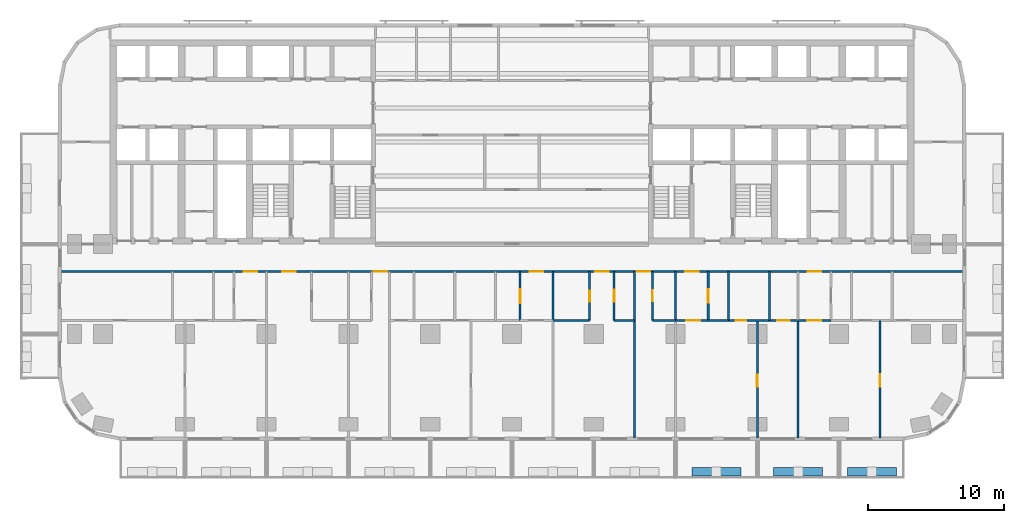
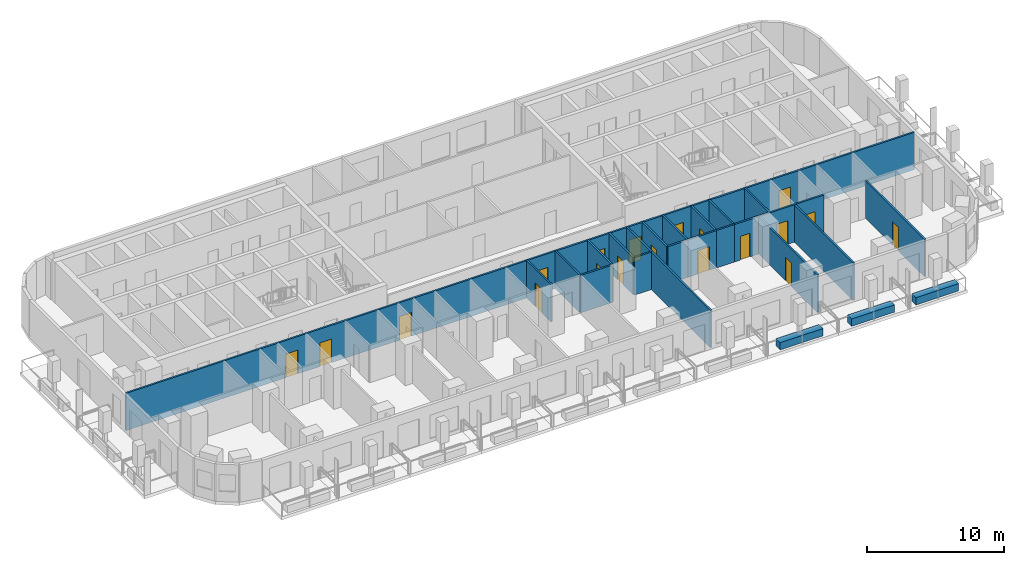
# One storey, part 6 of 15: 24 walls, 19 doors, 19 openings.
"""IFC4 building model written with IfcOpenShell, lengths in metres."""

from ifc_helpers import new_model, si_unit, direction, frame, frame_2d, origin, place, context, subcontext, project, spatial, rectangle, extrude, material, layer, layer_set, type_object, element, fill, save


model = new_model("IFC4")

# Units and contexts
model_context = context("Model", 3, precision=1e-05, world=origin(), true_north=direction((0.0, 1.0)))
body_context = subcontext(model_context, "Body", "Model", "MODEL_VIEW")
ifc_project = project(units=[si_unit("LENGTHUNIT", "METRE"), si_unit("AREAUNIT", "SQUARE_METRE"), si_unit("VOLUMEUNIT", "CUBIC_METRE"), si_unit("PLANEANGLEUNIT", "RADIAN"), si_unit("MASSUNIT", "GRAM", prefix="KILO")], contexts=[model_context])

# Site, building, storey
site_placement = place(None, origin())
site = spatial("IfcSite", under=ifc_project, at=site_placement, CompositionType="ELEMENT")
building_placement = place(site_placement, origin())
building = spatial("IfcBuilding", under=site, at=building_placement, Name="Torana Hotel and Residences", CompositionType="ELEMENT")
storey_placement = place(building_placement, frame((0.0, 0.0, 92.39990234375)))
storey = spatial("IfcBuildingStorey", under=building, at=storey_placement, Name="L23", CompositionType="ELEMENT", Elevation=92.39990234375)

# Wall, opening, door
ifc_material_1 = material(Name="Gypsum plaster")
ifc_layer_1 = layer(ifc_material_1, 0.014892578125, Name="Plaster", Category="finish")
ifc_material_2 = material(Name="Concrete blockwork", Category="masonry")
ifc_layer_2 = layer(ifc_material_2, 0.1201171875, Name="Blockwork", Category="structure")
ifc_layer_3 = layer(ifc_material_1, 0.014892578125, Name="Plaster", Category="finish")
ifc_layer_set_1 = layer_set([ifc_layer_1, ifc_layer_2, ifc_layer_3], Name="FIRE PARTITION 150 BLOCKWORK")
wall_type_1 = type_object("IfcWallType", Name="FIRE PARTITION 150 BLOCKWORK", PredefinedType="PARTITIONING", material=ifc_layer_set_1)
wall_1_placement = place(storey_placement, frame((14.39990234375, -20.60009765625, 0.0), z_axis=(0.0, 0.0, 1.0), x_axis=(0.0, 1.0, 0.0)))
wall_1 = element("IfcWall", 1, at=wall_1_placement, inside=storey, type_object=wall_type_1, Name="Partition L23", PredefinedType="PARTITIONING", context=body_context, shape_type="SweptSolid", body=[
    extrude(rectangle(XDim=3.60009765625, YDim=0.14990234375, at=frame_2d((1.800048828125, 0.0))), origin(), (0.0, 0.0, 1.0), 3.320068359375),
])
opening_1_placement = place(wall_1_placement, frame((1.300048828125, 0.0, 0.0)))
opening_1 = element("IfcOpeningElement", 2, at=opening_1_placement, cuts=wall_1, Name="Opening L23-69", PredefinedType="OPENING", context=body_context, shape_type="SweptSolid", body=[
    extrude(rectangle(XDim=1.0, YDim=2.10009765625, at=frame_2d((0.5, 1.050048828125))), frame((0.0, 0.0849609375, 0.0), z_axis=(0.0, -1.0, 0.0), x_axis=(1.0, 0.0, 0.0)), (0.0, 0.0, 1.0), 0.169921875),
])
ifc_material_3 = material(Name="Steel S235", Category="steel")
door_type_1 = type_object("IfcDoorType", Name="ENTRY FIRE DOOR D6 1000x2100", OperationType="SINGLE_SWING_LEFT", PredefinedType="DOOR", material=ifc_material_3)
door_1_placement = place(opening_1_placement, frame((0.5, 0.0, 0.0), z_axis=(0.0, 0.0, 1.0), x_axis=(-1.0, 0.0, 0.0)))
door_1 = element("IfcDoor", 3, at=door_1_placement, inside=storey, type_object=door_type_1, Name="Door L23", OperationType="SINGLE_SWING_LEFT", OverallHeight=2.10009765625, OverallWidth=1.0, PredefinedType="DOOR", context=body_context, shape_type="SweptSolid", body=[
    extrude(rectangle(XDim=1.0, YDim=2.10009765625, at=frame_2d((0.0, 1.050048828125))), frame((0.0, -0.02490234375, 0.0), z_axis=(0.0, 1.0, 0.0), x_axis=(-1.0, 0.0, 0.0)), (0.0, 0.0, 1.0), 0.050048828125),
])
fill(opening_1, door_1)

# Walls
for number, where, z_axis, x_axis, name in (
    (4, (12.0, -20.60009765625, 0.0), (0.0, 0.0, 1.0), (0.0, 1.0, 0.0), "Partition L23"),
    (5, (3.0, -20.60009765625, 0.0), (0.0, 0.0, 1.0), (0.0, 1.0, 0.0), "Partition L23"),
):
    element("IfcWall", number, at=place(storey_placement, frame(where, z_axis=z_axis, x_axis=x_axis)), inside=storey, type_object=wall_type_1, Name=name, PredefinedType="PARTITIONING", context=body_context, shape_type="SweptSolid", body=[
        extrude(rectangle(XDim=3.60009765625, YDim=0.14990234375, at=frame_2d((1.800048828125, 0.0))), origin(), (0.0, 0.0, 1.0), 3.320068359375),
    ])

# Wall, opening, door
wall_2_placement = place(storey_placement, frame((0.60009765625, -20.60009765625, 0.0), z_axis=(0.0, 0.0, 1.0), x_axis=(0.0, 1.0, 0.0)))
wall_2 = element("IfcWall", 6, at=wall_2_placement, inside=storey, type_object=wall_type_1, Name="Partition L23", PredefinedType="PARTITIONING", context=body_context, shape_type="SweptSolid", body=[
    extrude(rectangle(XDim=3.60009765625, YDim=0.14990234375, at=frame_2d((1.800048828125, 0.0))), origin(), (0.0, 0.0, 1.0), 3.320068359375),
])
opening_2_placement = place(wall_2_placement, frame((1.280029296875, 0.0, 0.0)))
opening_2 = element("IfcOpeningElement", 7, at=opening_2_placement, cuts=wall_2, Name="Opening L23-63", PredefinedType="OPENING", context=body_context, shape_type="SweptSolid", body=[
    extrude(rectangle(XDim=1.0, YDim=2.10009765625, at=frame_2d((0.5, 1.050048828125))), frame((0.0, 0.0849609375, 0.0), z_axis=(0.0, -1.0, 0.0), x_axis=(1.0, 0.0, 0.0)), (0.0, 0.0, 1.0), 0.169921875),
])
door_2_placement = place(opening_2_placement, origin())
door_2 = element("IfcDoor", 8, at=door_2_placement, inside=storey, type_object=door_type_1, Name="Door L23", OperationType="SINGLE_SWING_RIGHT", OverallHeight=2.10009765625, OverallWidth=1.0, PredefinedType="DOOR", context=body_context, shape_type="SweptSolid", body=[
    extrude(rectangle(XDim=1.0, YDim=2.10009765625, at=frame_2d((0.5, 1.050048828125))), frame((0.0, 0.02490234375, 0.0), z_axis=(0.0, -1.0, 0.0), x_axis=(1.0, 0.0, 0.0)), (0.0, 0.0, 1.0), 0.050048828125),
])
fill(opening_2, door_2)

wall_3_placement = place(storey_placement, frame((12.0, -20.60009765625, 0.0), z_axis=(0.0, 0.0, 1.0), x_axis=(1.0, 0.0, 0.0)))
wall_3 = element("IfcWall", 9, at=wall_3_placement, inside=storey, type_object=wall_type_1, Name="Partition L23", PredefinedType="PARTITIONING", context=body_context, shape_type="SweptSolid", body=[
    extrude(rectangle(XDim=2.39990234375, YDim=0.14990234375, at=frame_2d((1.199951171875, 0.0))), origin(), (0.0, 0.0, 1.0), 3.320068359375),
])
opening_3_placement = place(wall_3_placement, frame((0.800048828125, 0.0, 0.0)))
opening_3 = element("IfcOpeningElement", 10, at=opening_3_placement, cuts=wall_3, Name="Opening L23-70", PredefinedType="OPENING", context=body_context, shape_type="SweptSolid", body=[
    extrude(rectangle(XDim=1.0, YDim=2.10009765625, at=frame_2d((0.5, 1.050048828125))), frame((0.0, 0.0849609375, 0.0), z_axis=(0.0, -1.0, 0.0), x_axis=(1.0, 0.0, 0.0)), (0.0, 0.0, 1.0), 0.169921875),
])
door_3_placement = place(opening_3_placement, frame((0.5, 0.0, 0.0), z_axis=(0.0, 0.0, 1.0), x_axis=(-1.0, 0.0, 0.0)))
door_3 = element("IfcDoor", 11, at=door_3_placement, inside=storey, type_object=door_type_1, Name="Door L23", OperationType="SINGLE_SWING_LEFT", OverallHeight=2.10009765625, OverallWidth=1.0, PredefinedType="DOOR", context=body_context, shape_type="SweptSolid", body=[
    extrude(rectangle(XDim=1.0, YDim=2.10009765625, at=frame_2d((0.0, 1.050048828125))), frame((0.0, -0.02490234375, 0.0), z_axis=(0.0, 1.0, 0.0), x_axis=(-1.0, 0.0, 0.0)), (0.0, 0.0, 1.0), 0.050048828125),
])
fill(opening_3, door_3)

wall_4_placement = place(storey_placement, frame((21.0, -20.60009765625, 0.0), z_axis=(0.0, 0.0, 1.0), x_axis=(1.0, 0.0, 0.0)))
wall_4 = element("IfcWall", 12, at=wall_4_placement, inside=storey, type_object=wall_type_1, Name="Partition L23", PredefinedType="PARTITIONING", context=body_context, shape_type="SweptSolid", body=[
    extrude(rectangle(XDim=2.39990234375, YDim=0.14990234375, at=frame_2d((1.199951171875, 0.0))), origin(), (0.0, 0.0, 1.0), 3.320068359375),
])
opening_4_placement = place(wall_4_placement, frame((0.679931640625, 0.0, 0.0)))
opening_4 = element("IfcOpeningElement", 13, at=opening_4_placement, cuts=wall_4, Name="Opening L23-80", PredefinedType="OPENING", context=body_context, shape_type="SweptSolid", body=[
    extrude(rectangle(XDim=1.0, YDim=2.10009765625, at=frame_2d((0.5, 1.050048828125))), frame((0.0, 0.0849609375, 0.0), z_axis=(0.0, -1.0, 0.0), x_axis=(1.0, 0.0, 0.0)), (0.0, 0.0, 1.0), 0.169921875),
])
door_4_placement = place(opening_4_placement, frame((0.5, 0.0, 0.0), z_axis=(0.0, 0.0, 1.0), x_axis=(-1.0, 0.0, 0.0)))
door_4 = element("IfcDoor", 14, at=door_4_placement, inside=storey, type_object=door_type_1, Name="Door L23", OperationType="SINGLE_SWING_LEFT", OverallHeight=2.10009765625, OverallWidth=1.0, PredefinedType="DOOR", context=body_context, shape_type="SweptSolid", body=[
    extrude(rectangle(XDim=1.0, YDim=2.10009765625, at=frame_2d((0.0, 1.050048828125))), frame((0.0, -0.02490234375, 0.0), z_axis=(0.0, 1.0, 0.0), x_axis=(-1.0, 0.0, 0.0)), (0.0, 0.0, 1.0), 0.050048828125),
])
fill(opening_4, door_4)

# Wall, openings, doors
wall_5_placement = place(storey_placement, frame((-33.1201171875, -17.0, 0.0), z_axis=(0.0, 0.0, 1.0), x_axis=(1.0, 0.0, 0.0)))
wall_5 = element("IfcWall", 15, at=wall_5_placement, inside=storey, type_object=wall_type_1, Name="Partition L23", PredefinedType="PARTITIONING", context=body_context, shape_type="SweptSolid", body=[
    extrude(rectangle(XDim=66.240234375, YDim=0.14990234375, at=frame_2d((33.1201171875, 0.0))), origin(), (0.0, 0.0, 1.0), 3.320068359375),
])
opening_5_placement = place(wall_5_placement, frame((16.27001953125, 0.0, 0.0)))
opening_5 = element("IfcOpeningElement", 16, at=opening_5_placement, cuts=wall_5, Name="Opening L23-40", PredefinedType="OPENING", context=body_context, shape_type="SweptSolid", body=[
    extrude(rectangle(XDim=1.0, YDim=2.10009765625, at=frame_2d((0.5, 1.050048828125))), frame((0.0, 0.0849609375, 0.0), z_axis=(0.0, -1.0, 0.0), x_axis=(1.0, 0.0, 0.0)), (0.0, 0.0, 1.0), 0.169921875),
])
opening_6_placement = place(wall_5_placement, frame((22.969970703125, 0.0, 0.0)))
opening_6 = element("IfcOpeningElement", 17, at=opening_6_placement, cuts=wall_5, Name="Opening L23-41", PredefinedType="OPENING", context=body_context, shape_type="SweptSolid", body=[
    extrude(rectangle(XDim=1.0, YDim=2.10009765625, at=frame_2d((0.5, 1.050048828125))), frame((0.0, 0.0849609375, 0.0), z_axis=(0.0, -1.0, 0.0), x_axis=(1.0, 0.0, 0.0)), (0.0, 0.0, 1.0), 0.169921875),
])
opening_7_placement = place(wall_5_placement, frame((34.419921875, 0.0, 0.0)))
opening_7 = element("IfcOpeningElement", 18, at=opening_7_placement, cuts=wall_5, Name="Opening L23-42", PredefinedType="OPENING", context=body_context, shape_type="SweptSolid", body=[
    extrude(rectangle(XDim=1.0, YDim=2.10009765625, at=frame_2d((0.5, 1.050048828125))), frame((0.0, 0.0849609375, 0.0), z_axis=(0.0, -1.0, 0.0), x_axis=(1.0, 0.0, 0.0)), (0.0, 0.0, 1.0), 0.169921875),
])
opening_8_placement = place(wall_5_placement, frame((39.219970703125, 0.0, 0.0)))
opening_8 = element("IfcOpeningElement", 19, at=opening_8_placement, cuts=wall_5, Name="Opening L23-43", PredefinedType="OPENING", context=body_context, shape_type="SweptSolid", body=[
    extrude(rectangle(XDim=1.0, YDim=2.10009765625, at=frame_2d((0.5, 1.050048828125))), frame((0.0, 0.0849609375, 0.0), z_axis=(0.0, -1.0, 0.0), x_axis=(1.0, 0.0, 0.0)), (0.0, 0.0, 1.0), 0.169921875),
])
opening_9_placement = place(wall_5_placement, frame((42.27001953125, 0.0, 0.0)))
opening_9 = element("IfcOpeningElement", 20, at=opening_9_placement, cuts=wall_5, Name="Opening L23-44", PredefinedType="OPENING", context=body_context, shape_type="SweptSolid", body=[
    extrude(rectangle(XDim=1.0, YDim=2.10009765625, at=frame_2d((0.5, 1.050048828125))), frame((0.0, 0.0849609375, 0.0), z_axis=(0.0, -1.0, 0.0), x_axis=(1.0, 0.0, 0.0)), (0.0, 0.0, 1.0), 0.169921875),
])
opening_10_placement = place(wall_5_placement, frame((45.820068359375, 0.0, 0.0)))
opening_10 = element("IfcOpeningElement", 21, at=opening_10_placement, cuts=wall_5, Name="Opening L23-45", PredefinedType="OPENING", context=body_context, shape_type="SweptSolid", body=[
    extrude(rectangle(XDim=1.0, YDim=2.10009765625, at=frame_2d((0.5, 1.050048828125))), frame((0.0, 0.0849609375, 0.0), z_axis=(0.0, -1.0, 0.0), x_axis=(1.0, 0.0, 0.0)), (0.0, 0.0, 1.0), 0.169921875),
])
opening_11_placement = place(wall_5_placement, frame((13.419921875, 0.0, 0.0)))
opening_11 = element("IfcOpeningElement", 22, at=opening_11_placement, cuts=wall_5, Name="Opening L23-46", PredefinedType="OPENING", context=body_context, shape_type="SweptSolid", body=[
    extrude(rectangle(XDim=1.0, YDim=2.10009765625, at=frame_2d((0.5, 1.050048828125))), frame((0.0, 0.0849609375, 0.0), z_axis=(0.0, -1.0, 0.0), x_axis=(1.0, 0.0, 0.0)), (0.0, 0.0, 1.0), 0.169921875),
])
opening_12_placement = place(wall_5_placement, frame((54.820068359375, 0.0, 0.0)))
opening_12 = element("IfcOpeningElement", 23, at=opening_12_placement, cuts=wall_5, Name="Opening L23-47", PredefinedType="OPENING", context=body_context, shape_type="SweptSolid", body=[
    extrude(rectangle(XDim=1.0, YDim=2.10009765625, at=frame_2d((0.5, 1.050048828125))), frame((0.0, 0.0849609375, 0.0), z_axis=(0.0, -1.0, 0.0), x_axis=(1.0, 0.0, 0.0)), (0.0, 0.0, 1.0), 0.169921875),
])
door_5_placement = place(opening_5_placement, frame((0.5, 0.0, 0.0), z_axis=(0.0, 0.0, 1.0), x_axis=(-1.0, 0.0, 0.0)))
door_5 = element("IfcDoor", 24, at=door_5_placement, inside=storey, type_object=door_type_1, Name="Door L23", OperationType="SINGLE_SWING_LEFT", OverallHeight=2.10009765625, OverallWidth=1.0, PredefinedType="DOOR", context=body_context, shape_type="SweptSolid", body=[
    extrude(rectangle(XDim=1.0, YDim=2.10009765625, at=frame_2d((0.0, 1.050048828125))), frame((0.0, -0.02490234375, 0.0), z_axis=(0.0, 1.0, 0.0), x_axis=(-1.0, 0.0, 0.0)), (0.0, 0.0, 1.0), 0.050048828125),
])
fill(opening_5, door_5)
door_6_placement = place(opening_6_placement, frame((0.5, 0.0, 0.0), z_axis=(0.0, 0.0, 1.0), x_axis=(-1.0, 0.0, 0.0)))
door_6 = element("IfcDoor", 25, at=door_6_placement, inside=storey, type_object=door_type_1, Name="Door L23", OperationType="SINGLE_SWING_LEFT", OverallHeight=2.10009765625, OverallWidth=1.0, PredefinedType="DOOR", context=body_context, shape_type="SweptSolid", body=[
    extrude(rectangle(XDim=1.0, YDim=2.10009765625, at=frame_2d((0.0, 1.050048828125))), frame((0.0, -0.02490234375, 0.0), z_axis=(0.0, 1.0, 0.0), x_axis=(-1.0, 0.0, 0.0)), (0.0, 0.0, 1.0), 0.050048828125),
])
fill(opening_6, door_6)
door_7_placement = place(opening_7_placement, origin())
door_7 = element("IfcDoor", 26, at=door_7_placement, inside=storey, type_object=door_type_1, Name="Door L23", OperationType="SINGLE_SWING_RIGHT", OverallHeight=2.10009765625, OverallWidth=1.0, PredefinedType="DOOR", context=body_context, shape_type="SweptSolid", body=[
    extrude(rectangle(XDim=1.0, YDim=2.10009765625, at=frame_2d((0.5, 1.050048828125))), frame((0.0, 0.02490234375, 0.0), z_axis=(0.0, -1.0, 0.0), x_axis=(1.0, 0.0, 0.0)), (0.0, 0.0, 1.0), 0.050048828125),
])
fill(opening_7, door_7)
door_8_placement = place(opening_8_placement, frame((0.5, 0.0, 0.0), z_axis=(0.0, 0.0, 1.0), x_axis=(-1.0, 0.0, 0.0)))
door_8 = element("IfcDoor", 27, at=door_8_placement, inside=storey, type_object=door_type_1, Name="Door L23", OperationType="SINGLE_SWING_LEFT", OverallHeight=2.10009765625, OverallWidth=1.0, PredefinedType="DOOR", context=body_context, shape_type="SweptSolid", body=[
    extrude(rectangle(XDim=1.0, YDim=2.10009765625, at=frame_2d((0.0, 1.050048828125))), frame((0.0, -0.02490234375, 0.0), z_axis=(0.0, 1.0, 0.0), x_axis=(-1.0, 0.0, 0.0)), (0.0, 0.0, 1.0), 0.050048828125),
])
fill(opening_8, door_8)
door_9_placement = place(opening_9_placement, frame((0.5, 0.0, 0.0), z_axis=(0.0, 0.0, 1.0), x_axis=(-1.0, 0.0, 0.0)))
door_9 = element("IfcDoor", 28, at=door_9_placement, inside=storey, type_object=door_type_1, Name="Door L23", OperationType="SINGLE_SWING_LEFT", OverallHeight=2.10009765625, OverallWidth=1.0, PredefinedType="DOOR", context=body_context, shape_type="SweptSolid", body=[
    extrude(rectangle(XDim=1.0, YDim=2.10009765625, at=frame_2d((0.0, 1.050048828125))), frame((0.0, -0.02490234375, 0.0), z_axis=(0.0, 1.0, 0.0), x_axis=(-1.0, 0.0, 0.0)), (0.0, 0.0, 1.0), 0.050048828125),
])
fill(opening_9, door_9)
door_10_placement = place(opening_10_placement, origin())
door_10 = element("IfcDoor", 29, at=door_10_placement, inside=storey, type_object=door_type_1, Name="Door L23", OperationType="SINGLE_SWING_RIGHT", OverallHeight=2.10009765625, OverallWidth=1.0, PredefinedType="DOOR", context=body_context, shape_type="SweptSolid", body=[
    extrude(rectangle(XDim=1.0, YDim=2.10009765625, at=frame_2d((0.5, 1.050048828125))), frame((0.0, 0.02490234375, 0.0), z_axis=(0.0, -1.0, 0.0), x_axis=(1.0, 0.0, 0.0)), (0.0, 0.0, 1.0), 0.050048828125),
])
fill(opening_10, door_10)
door_11_placement = place(opening_11_placement, origin())
door_11 = element("IfcDoor", 30, at=door_11_placement, inside=storey, type_object=door_type_1, Name="Door L23", OperationType="SINGLE_SWING_RIGHT", OverallHeight=2.10009765625, OverallWidth=1.0, PredefinedType="DOOR", context=body_context, shape_type="SweptSolid", body=[
    extrude(rectangle(XDim=1.0, YDim=2.10009765625, at=frame_2d((0.5, 1.050048828125))), frame((0.0, 0.02490234375, 0.0), z_axis=(0.0, -1.0, 0.0), x_axis=(1.0, 0.0, 0.0)), (0.0, 0.0, 1.0), 0.050048828125),
])
fill(opening_11, door_11)
door_12_placement = place(opening_12_placement, origin())
door_12 = element("IfcDoor", 31, at=door_12_placement, inside=storey, type_object=door_type_1, Name="Door L23", OperationType="SINGLE_SWING_RIGHT", OverallHeight=2.10009765625, OverallWidth=1.0, PredefinedType="DOOR", context=body_context, shape_type="SweptSolid", body=[
    extrude(rectangle(XDim=1.0, YDim=2.10009765625, at=frame_2d((0.5, 1.050048828125))), frame((0.0, 0.02490234375, 0.0), z_axis=(0.0, -1.0, 0.0), x_axis=(1.0, 0.0, 0.0)), (0.0, 0.0, 1.0), 0.050048828125),
])
fill(opening_12, door_12)

# Wall, opening, door
ifc_material_4 = material(Name="Gypsum plasterboard")
ifc_layer_4 = layer(ifc_material_4, 0.012451171875, Name="Plasterboard", Category="finish")
ifc_layer_5 = layer(ifc_material_4, 0.012451171875, Name="Plasterboard", Category="finish")
ifc_material_5 = material(Name="Steel S280GD", Category="steel")
ifc_layer_6 = layer(ifc_material_5, 0.10009765625, Name="Steel studs with mineral wool", Category="insulation")
ifc_layer_7 = layer(ifc_material_4, 0.012451171875, Name="Plasterboard", Category="finish")
ifc_layer_8 = layer(ifc_material_4, 0.012451171875, Name="Plasterboard", Category="finish")
ifc_layer_set_2 = layer_set([ifc_layer_4, ifc_layer_5, ifc_layer_6, ifc_layer_7, ifc_layer_8], Name="PARTITION 150 PLASTERBOARD")
wall_type_2 = type_object("IfcWallType", Name="PARTITION 150 PLASTERBOARD", PredefinedType="PARTITIONING", material=ifc_layer_set_2)
wall_6_placement = place(storey_placement, frame((27.0, -29.219970703125, 0.0), z_axis=(0.0, 0.0, 1.0), x_axis=(0.0, 1.0, 0.0)))
wall_6 = element("IfcWall", 32, at=wall_6_placement, inside=storey, type_object=wall_type_2, Name="Partition L23", PredefinedType="PARTITIONING", context=body_context, shape_type="SweptSolid", body=[
    extrude(rectangle(XDim=8.619873046875, YDim=0.14990234375, at=frame_2d((4.31005859375, 0.0))), origin(), (0.0, 0.0, 1.0), 3.320068359375),
])
opening_13_placement = place(wall_6_placement, frame((3.77001953125, 0.0, 0.0)))
opening_13 = element("IfcOpeningElement", 33, at=opening_13_placement, cuts=wall_6, Name="Opening L23-83", PredefinedType="OPENING", context=body_context, shape_type="SweptSolid", body=[
    extrude(rectangle(XDim=0.89990234375, YDim=2.10009765625, at=frame_2d((0.449951171875, 1.050048828125))), frame((0.0, 0.0849609375, 0.0), z_axis=(0.0, -1.0, 0.0), x_axis=(1.0, 0.0, 0.0)), (0.0, 0.0, 1.0), 0.169921875),
])
ifc_material_6 = material(Name="Timber door, oiled ash", Category="wood")
door_type_2 = type_object("IfcDoorType", Name="ROOM DOOR D7 900x2100", OperationType="SINGLE_SWING_LEFT", PredefinedType="DOOR", material=ifc_material_6)
door_13_placement = place(opening_13_placement, origin())
door_13 = element("IfcDoor", 34, at=door_13_placement, inside=storey, type_object=door_type_2, Name="Door L23", OperationType="SINGLE_SWING_RIGHT", OverallHeight=2.10009765625, OverallWidth=0.89990234375, PredefinedType="DOOR", context=body_context, shape_type="SweptSolid", body=[
    extrude(rectangle(XDim=0.89990234375, YDim=2.10009765625, at=frame_2d((0.449951171875, 1.050048828125))), frame((0.0, 0.02490234375, 0.0), z_axis=(0.0, -1.0, 0.0), x_axis=(1.0, 0.0, 0.0)), (0.0, 0.0, 1.0), 0.050048828125),
])
fill(opening_13, door_13)

# Walls
wall_7_placement = place(storey_placement, frame((21.0, -29.219970703125, 0.0), z_axis=(0.0, 0.0, 1.0), x_axis=(0.0, 1.0, 0.0)))
element("IfcWall", 35, at=wall_7_placement, inside=storey, type_object=wall_type_2, Name="Partition L23", PredefinedType="PARTITIONING", context=body_context, shape_type="SweptSolid", body=[
    extrude(rectangle(XDim=8.619873046875, YDim=0.14990234375, at=frame_2d((4.31005859375, 0.0))), origin(), (0.0, 0.0, 1.0), 3.320068359375),
])
wall_8_placement = place(storey_placement, frame((18.89990234375, -20.60009765625, 0.0), z_axis=(0.0, 0.0, 1.0), x_axis=(0.0, 1.0, 0.0)))
element("IfcWall", 36, at=wall_8_placement, inside=storey, type_object=wall_type_2, Name="Partition L23", PredefinedType="PARTITIONING", context=body_context, shape_type="SweptSolid", body=[
    extrude(rectangle(XDim=3.60009765625, YDim=0.14990234375, at=frame_2d((1.800048828125, 0.0))), origin(), (0.0, 0.0, 1.0), 3.320068359375),
])

# Wall, opening, door
wall_9_placement = place(storey_placement, frame((18.0, -29.219970703125, 0.0), z_axis=(0.0, 0.0, 1.0), x_axis=(0.0, 1.0, 0.0)))
wall_9 = element("IfcWall", 37, at=wall_9_placement, inside=storey, type_object=wall_type_2, Name="Partition L23", PredefinedType="PARTITIONING", context=body_context, shape_type="SweptSolid", body=[
    extrude(rectangle(XDim=8.619873046875, YDim=0.14990234375, at=frame_2d((4.31005859375, 0.0))), origin(), (0.0, 0.0, 1.0), 3.320068359375),
])
opening_14_placement = place(wall_9_placement, frame((3.75, 0.0, 0.0)))
opening_14 = element("IfcOpeningElement", 38, at=opening_14_placement, cuts=wall_9, Name="Opening L23-73", PredefinedType="OPENING", context=body_context, shape_type="SweptSolid", body=[
    extrude(rectangle(XDim=0.89990234375, YDim=2.10009765625, at=frame_2d((0.449951171875, 1.050048828125))), frame((0.0, 0.0849609375, 0.0), z_axis=(0.0, -1.0, 0.0), x_axis=(1.0, 0.0, 0.0)), (0.0, 0.0, 1.0), 0.169921875),
])
door_14_placement = place(opening_14_placement, origin())
door_14 = element("IfcDoor", 39, at=door_14_placement, inside=storey, type_object=door_type_2, Name="Door L23", OperationType="SINGLE_SWING_RIGHT", OverallHeight=2.10009765625, OverallWidth=0.89990234375, PredefinedType="DOOR", context=body_context, shape_type="SweptSolid", body=[
    extrude(rectangle(XDim=0.89990234375, YDim=2.10009765625, at=frame_2d((0.449951171875, 1.050048828125))), frame((0.0, 0.02490234375, 0.0), z_axis=(0.0, -1.0, 0.0), x_axis=(1.0, 0.0, 0.0)), (0.0, 0.0, 1.0), 0.050048828125),
])
fill(opening_14, door_14)

wall_10_placement = place(storey_placement, frame((10.300048828125, -20.60009765625, 0.0), z_axis=(0.0, 0.0, 1.0), x_axis=(0.0, 1.0, 0.0)))
wall_10 = element("IfcWall", 40, at=wall_10_placement, inside=storey, type_object=wall_type_2, Name="Partition L23", PredefinedType="PARTITIONING", context=body_context, shape_type="SweptSolid", body=[
    extrude(rectangle(XDim=3.60009765625, YDim=0.14990234375, at=frame_2d((1.800048828125, 0.0))), origin(), (0.0, 0.0, 1.0), 3.320068359375),
])
opening_15_placement = place(wall_10_placement, frame((1.419921875, 0.0, 0.0)))
opening_15 = element("IfcOpeningElement", 41, at=opening_15_placement, cuts=wall_10, Name="Opening L23-68", PredefinedType="OPENING", context=body_context, shape_type="SweptSolid", body=[
    extrude(rectangle(XDim=0.800048828125, YDim=2.10009765625, at=frame_2d((0.39990234375, 1.050048828125))), frame((0.0, 0.0849609375, 0.0), z_axis=(0.0, -1.0, 0.0), x_axis=(1.0, 0.0, 0.0)), (0.0, 0.0, 1.0), 0.169921875),
])
ifc_material_7 = material(Name="Timber door, painted", Category="wood")
door_type_3 = type_object("IfcDoorType", Name="BATH DOOR D13 800x2100", OperationType="SINGLE_SWING_LEFT", PredefinedType="DOOR", material=ifc_material_7)
door_15_placement = place(opening_15_placement, origin())
door_15 = element("IfcDoor", 42, at=door_15_placement, inside=storey, type_object=door_type_3, Name="Door L23", OperationType="SINGLE_SWING_LEFT", OverallHeight=2.10009765625, OverallWidth=0.800048828125, PredefinedType="DOOR", context=body_context, shape_type="SweptSolid", body=[
    extrude(rectangle(XDim=0.800048828125, YDim=2.10009765625, at=frame_2d((0.39990234375, 1.050048828125))), frame((0.0, 0.02490234375, 0.0), z_axis=(0.0, -1.0, 0.0), x_axis=(1.0, 0.0, 0.0)), (0.0, 0.0, 1.0), 0.050048828125),
])
fill(opening_15, door_15)

# Wall
wall_11_placement = place(storey_placement, frame((9.0, -29.219970703125, 0.0), z_axis=(0.0, 0.0, 1.0), x_axis=(0.0, 1.0, 0.0)))
element("IfcWall", 43, at=wall_11_placement, inside=storey, type_object=wall_type_2, Name="Partition L23", PredefinedType="PARTITIONING", context=body_context, shape_type="SweptSolid", body=[
    extrude(rectangle(XDim=12.219970703125, YDim=0.14990234375, at=frame_2d((6.10986328125, 0.0))), origin(), (0.0, 0.0, 1.0), 3.320068359375),
])

# Wall, opening, door
wall_12_placement = place(storey_placement, frame((7.5, -20.60009765625, 0.0), z_axis=(0.0, 0.0, 1.0), x_axis=(0.0, 1.0, 0.0)))
wall_12 = element("IfcWall", 44, at=wall_12_placement, inside=storey, type_object=wall_type_2, Name="Partition L23", PredefinedType="PARTITIONING", context=body_context, shape_type="SweptSolid", body=[
    extrude(rectangle(XDim=3.60009765625, YDim=0.14990234375, at=frame_2d((1.800048828125, 0.0))), origin(), (0.0, 0.0, 1.0), 3.320068359375),
])
opening_16_placement = place(wall_12_placement, frame((1.3701171875, 0.0, 0.0)))
opening_16 = element("IfcOpeningElement", 45, at=opening_16_placement, cuts=wall_12, Name="Opening L23-67", PredefinedType="OPENING", context=body_context, shape_type="SweptSolid", body=[
    extrude(rectangle(XDim=0.89990234375, YDim=2.10009765625, at=frame_2d((0.449951171875, 1.050048828125))), frame((0.0, 0.0849609375, 0.0), z_axis=(0.0, -1.0, 0.0), x_axis=(1.0, 0.0, 0.0)), (0.0, 0.0, 1.0), 0.169921875),
])
door_16_placement = place(opening_16_placement, origin())
door_16 = element("IfcDoor", 46, at=door_16_placement, inside=storey, type_object=door_type_2, Name="Door L23", OperationType="SINGLE_SWING_LEFT", OverallHeight=2.10009765625, OverallWidth=0.89990234375, PredefinedType="DOOR", context=body_context, shape_type="SweptSolid", body=[
    extrude(rectangle(XDim=0.89990234375, YDim=2.10009765625, at=frame_2d((0.449951171875, 1.050048828125))), frame((0.0, 0.02490234375, 0.0), z_axis=(0.0, -1.0, 0.0), x_axis=(1.0, 0.0, 0.0)), (0.0, 0.0, 1.0), 0.050048828125),
])
fill(opening_16, door_16)

wall_13_placement = place(storey_placement, frame((5.699951171875, -20.60009765625, 0.0), z_axis=(0.0, 0.0, 1.0), x_axis=(0.0, 1.0, 0.0)))
wall_13 = element("IfcWall", 47, at=wall_13_placement, inside=storey, type_object=wall_type_2, Name="Partition L23", PredefinedType="PARTITIONING", context=body_context, shape_type="SweptSolid", body=[
    extrude(rectangle(XDim=3.60009765625, YDim=0.14990234375, at=frame_2d((1.800048828125, 0.0))), origin(), (0.0, 0.0, 1.0), 3.320068359375),
])
opening_17_placement = place(wall_13_placement, frame((1.3798828125, 0.0, 0.0)))
opening_17 = element("IfcOpeningElement", 48, at=opening_17_placement, cuts=wall_13, Name="Opening L23-66", PredefinedType="OPENING", context=body_context, shape_type="SweptSolid", body=[
    extrude(rectangle(XDim=0.800048828125, YDim=2.10009765625, at=frame_2d((0.39990234375, 1.050048828125))), frame((0.0, 0.0849609375, 0.0), z_axis=(0.0, -1.0, 0.0), x_axis=(1.0, 0.0, 0.0)), (0.0, 0.0, 1.0), 0.169921875),
])
door_17_placement = place(opening_17_placement, origin())
door_17 = element("IfcDoor", 49, at=door_17_placement, inside=storey, type_object=door_type_3, Name="Door L23", OperationType="SINGLE_SWING_RIGHT", OverallHeight=2.10009765625, OverallWidth=0.800048828125, PredefinedType="DOOR", context=body_context, shape_type="SweptSolid", body=[
    extrude(rectangle(XDim=0.800048828125, YDim=2.10009765625, at=frame_2d((0.39990234375, 1.050048828125))), frame((0.0, 0.02490234375, 0.0), z_axis=(0.0, -1.0, 0.0), x_axis=(1.0, 0.0, 0.0)), (0.0, 0.0, 1.0), 0.050048828125),
])
fill(opening_17, door_17)

# Walls
wall_14_placement = place(storey_placement, frame((3.0, -20.60009765625, 0.0), z_axis=(0.0, 0.0, 1.0), x_axis=(1.0, 0.0, 0.0)))
element("IfcWall", 50, at=wall_14_placement, inside=storey, type_object=wall_type_2, Name="Partition L23", PredefinedType="PARTITIONING", context=body_context, shape_type="SweptSolid", body=[
    extrude(rectangle(XDim=2.699951171875, YDim=0.14990234375, at=frame_2d((1.35009765625, 0.0))), origin(), (0.0, 0.0, 1.0), 3.320068359375),
])
wall_15_placement = place(storey_placement, frame((7.5, -20.60009765625, 0.0), z_axis=(0.0, 0.0, 1.0), x_axis=(1.0, 0.0, 0.0)))
element("IfcWall", 51, at=wall_15_placement, inside=storey, type_object=wall_type_2, Name="Partition L23", PredefinedType="PARTITIONING", context=body_context, shape_type="SweptSolid", body=[
    extrude(rectangle(XDim=1.5, YDim=0.14990234375, at=frame_2d((0.75, 0.0))), origin(), (0.0, 0.0, 1.0), 3.320068359375),
])
wall_16_placement = place(storey_placement, frame((10.300048828125, -20.60009765625, 0.0), z_axis=(0.0, 0.0, 1.0), x_axis=(1.0, 0.0, 0.0)))
element("IfcWall", 52, at=wall_16_placement, inside=storey, type_object=wall_type_2, Name="Partition L23", PredefinedType="PARTITIONING", context=body_context, shape_type="SweptSolid", body=[
    extrude(rectangle(XDim=1.699951171875, YDim=0.14990234375, at=frame_2d((0.85009765625, 0.0))), origin(), (0.0, 0.0, 1.0), 3.320068359375),
])

# Wall, openings, doors
wall_17_placement = place(storey_placement, frame((15.89990234375, -20.60009765625, 0.0), z_axis=(0.0, 0.0, 1.0), x_axis=(1.0, 0.0, 0.0)))
wall_17 = element("IfcWall", 53, at=wall_17_placement, inside=storey, type_object=wall_type_2, Name="Partition L23", PredefinedType="PARTITIONING", context=body_context, shape_type="SweptSolid", body=[
    extrude(rectangle(XDim=5.10009765625, YDim=0.14990234375, at=frame_2d((2.550048828125, 0.0))), origin(), (0.0, 0.0, 1.0), 3.320068359375),
])
opening_18_placement = place(wall_17_placement, frame((0.5, 0.0, 0.0)))
opening_18 = element("IfcOpeningElement", 54, at=opening_18_placement, cuts=wall_17, Name="Opening L23-71", PredefinedType="OPENING", context=body_context, shape_type="SweptSolid", body=[
    extrude(rectangle(XDim=0.800048828125, YDim=2.10009765625, at=frame_2d((0.39990234375, 1.050048828125))), frame((0.0, 0.0849609375, 0.0), z_axis=(0.0, -1.0, 0.0), x_axis=(1.0, 0.0, 0.0)), (0.0, 0.0, 1.0), 0.169921875),
])
opening_19_placement = place(wall_17_placement, frame((3.580078125, 0.0, 0.0)))
opening_19 = element("IfcOpeningElement", 55, at=opening_19_placement, cuts=wall_17, Name="Opening L23-72", PredefinedType="OPENING", context=body_context, shape_type="SweptSolid", body=[
    extrude(rectangle(XDim=0.89990234375, YDim=2.10009765625, at=frame_2d((0.449951171875, 1.050048828125))), frame((0.0, 0.0849609375, 0.0), z_axis=(0.0, -1.0, 0.0), x_axis=(1.0, 0.0, 0.0)), (0.0, 0.0, 1.0), 0.169921875),
])
door_18_placement = place(opening_18_placement, origin())
door_18 = element("IfcDoor", 56, at=door_18_placement, inside=storey, type_object=door_type_3, Name="Door L23", OperationType="SINGLE_SWING_RIGHT", OverallHeight=2.10009765625, OverallWidth=0.800048828125, PredefinedType="DOOR", context=body_context, shape_type="SweptSolid", body=[
    extrude(rectangle(XDim=0.800048828125, YDim=2.10009765625, at=frame_2d((0.39990234375, 1.050048828125))), frame((0.0, 0.02490234375, 0.0), z_axis=(0.0, -1.0, 0.0), x_axis=(1.0, 0.0, 0.0)), (0.0, 0.0, 1.0), 0.050048828125),
])
fill(opening_18, door_18)
door_19_placement = place(opening_19_placement, origin())
door_19 = element("IfcDoor", 57, at=door_19_placement, inside=storey, type_object=door_type_2, Name="Door L23", OperationType="SINGLE_SWING_RIGHT", OverallHeight=2.10009765625, OverallWidth=0.89990234375, PredefinedType="DOOR", context=body_context, shape_type="SweptSolid", body=[
    extrude(rectangle(XDim=0.89990234375, YDim=2.10009765625, at=frame_2d((0.449951171875, 1.050048828125))), frame((0.0, 0.02490234375, 0.0), z_axis=(0.0, -1.0, 0.0), x_axis=(1.0, 0.0, 0.0)), (0.0, 0.0, 1.0), 0.050048828125),
])
fill(opening_19, door_19)

# Walls
ifc_material_8 = material(Name="Concrete C40/50 precast", Category="concrete")
ifc_layer_9 = layer(ifc_material_8, 0.10009765625, Name="Planter shell", Category="structure")
ifc_material_9 = material(Name="Root resistant membrane")
ifc_layer_10 = layer(ifc_material_9, 0.00390625, Name="Waterproofing membrane", Category="membrane")
ifc_material_10 = material(Name="Drainage board with filter fleece")
ifc_layer_11 = layer(ifc_material_10, 0.02001953125, Name="Drainage board", Category="drainage")
ifc_material_11 = material(Name="Growing medium")
ifc_layer_12 = layer(ifc_material_11, 0.47607421875, Name="Planting substrate", Category="soil")
ifc_layer_set_3 = layer_set([ifc_layer_9, ifc_layer_10, ifc_layer_11, ifc_layer_12], Name="PL1 BALCONY PLANTER 600")
wall_type_3 = type_object("IfcWallType", Name="PL1 BALCONY PLANTER 600", PredefinedType="USERDEFINED", material=ifc_layer_set_3)
for number, where, z_axis, x_axis, name in (
    (58, (16.800048828125, -31.699951171875, 0.0), (0.0, 0.0, 1.0), (-1.0, 0.0, 0.0), "Planter 08"),
    (59, (22.800048828125, -31.699951171875, 0.0), (0.0, 0.0, 1.0), (-1.0, 0.0, 0.0), "Planter 09"),
):
    element("IfcWall", number, at=place(storey_placement, frame(where, z_axis=z_axis, x_axis=x_axis)), inside=storey, type_object=wall_type_3, Name=name, ObjectType="PLANTER", PredefinedType="USERDEFINED", context=body_context, shape_type="SweptSolid", body=[
        extrude(rectangle(XDim=3.60009765625, YDim=0.60009765625, at=frame_2d((1.800048828125, 0.0))), origin(), (0.0, 0.0, 1.0), 0.650146484375),
    ])
wall_18_placement = place(storey_placement, frame((28.199951171875, -31.699951171875, 0.0), z_axis=(0.0, 0.0, 1.0), x_axis=(-1.0, 0.0, 0.0)))
element("IfcWall", 60, at=wall_18_placement, inside=storey, type_object=wall_type_3, Name="Planter 10", ObjectType="PLANTER", PredefinedType="USERDEFINED", context=body_context, shape_type="SweptSolid", body=[
    extrude(rectangle(XDim=3.599853515625, YDim=0.60009765625, at=frame_2d((1.7998046875, 0.0))), origin(), (0.0, 0.0, 1.0), 0.650146484375),
])
ifc_material_12 = material(Name="Ceramic tile on adhesive")
ifc_layer_13 = layer(ifc_material_12, 0.010009765625, Name="Wall tile", Category="finish")
ifc_material_13 = material(Name="Cement render")
ifc_layer_14 = layer(ifc_material_13, 0.010009765625, Name="Render", Category="finish")
ifc_layer_15 = layer(ifc_material_2, 0.110107421875, Name="Blockwork", Category="structure")
ifc_layer_16 = layer(ifc_material_13, 0.010009765625, Name="Render", Category="finish")
ifc_layer_17 = layer(ifc_material_12, 0.010009765625, Name="Wall tile", Category="finish")
ifc_layer_set_4 = layer_set([ifc_layer_13, ifc_layer_14, ifc_layer_15, ifc_layer_16, ifc_layer_17], Name="WC PARTITION 150")
wall_type_4 = type_object("IfcWallType", Name="WC PARTITION 150", PredefinedType="PLUMBINGWALL", material=ifc_layer_set_4)
wall_19_placement = place(storey_placement, frame((15.89990234375, -20.60009765625, 0.0), z_axis=(0.0, 0.0, 1.0), x_axis=(0.0, 1.0, 0.0)))
element("IfcWall", 61, at=wall_19_placement, inside=storey, type_object=wall_type_4, Name="Partition L23", PredefinedType="PLUMBINGWALL", context=body_context, shape_type="SweptSolid", body=[
    extrude(rectangle(XDim=3.60009765625, YDim=0.14990234375, at=frame_2d((1.800048828125, 0.0))), origin(), (0.0, 0.0, 1.0), 3.320068359375),
])
wall_20_placement = place(storey_placement, frame((14.39990234375, -20.60009765625, 0.0), z_axis=(0.0, 0.0, 1.0), x_axis=(1.0, 0.0, 0.0)))
element("IfcWall", 62, at=wall_20_placement, inside=storey, type_object=wall_type_4, Name="Partition L23", PredefinedType="PLUMBINGWALL", context=body_context, shape_type="SweptSolid", body=[
    extrude(rectangle(XDim=1.5, YDim=0.14990234375, at=frame_2d((0.75, 0.0))), origin(), (0.0, 0.0, 1.0), 3.320068359375),
])

save(model, "model.ifc")
